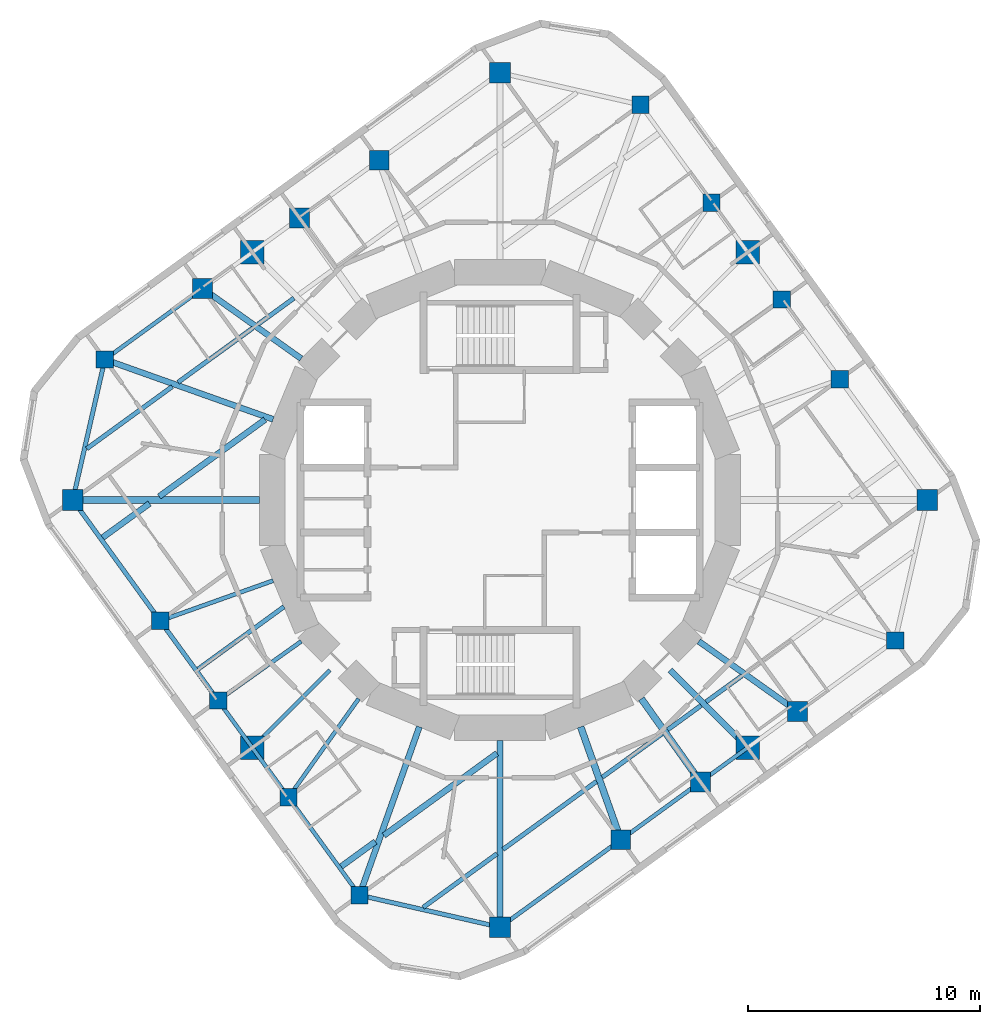
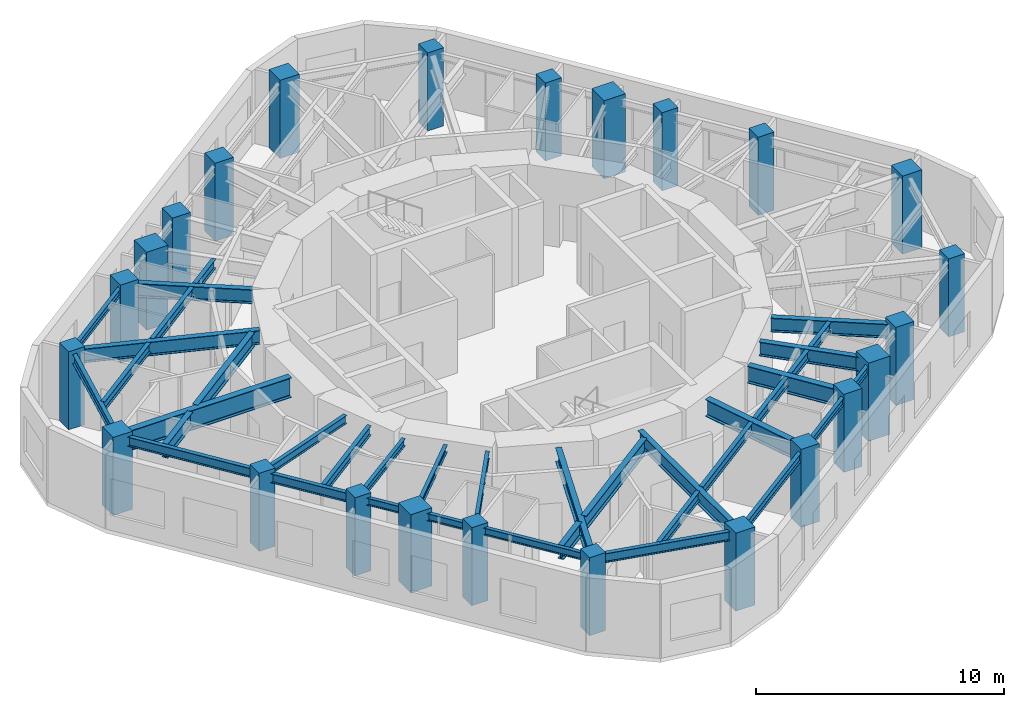
# One storey, part 1 of 9: 37 beams, 24 columns.
"""IFC4 building model written with IfcOpenShell, lengths in metres."""

from ifc_helpers import new_model, si_unit, direction, frame, origin, origin_2d, place, context, subcontext, project, spatial, rectangle, i_section, extrude, material, material_profile, profile_set, type_object, element, save


model = new_model("IFC4")

# Units and contexts
model_context = context("Model", 3, precision=1e-05, world=origin(), true_north=direction((0.0, 1.0)))
body_context = subcontext(model_context, "Body", "Model", "MODEL_VIEW")
ifc_project = project(units=[si_unit("LENGTHUNIT", "METRE"), si_unit("AREAUNIT", "SQUARE_METRE"), si_unit("VOLUMEUNIT", "CUBIC_METRE"), si_unit("PLANEANGLEUNIT", "RADIAN"), si_unit("MASSUNIT", "GRAM", prefix="KILO")], contexts=[model_context])

# Site, building, storey
site_placement = place(None, origin())
site = spatial("IfcSite", under=ifc_project, at=site_placement, CompositionType="ELEMENT")
building_placement = place(site_placement, origin())
building = spatial("IfcBuilding", under=site, at=building_placement, Name="Nakasero Lantern House", CompositionType="ELEMENT")
storey_placement = place(building_placement, frame((0.0, 0.0, 286.85009765625)))
storey = spatial("IfcBuildingStorey", under=building, at=storey_placement, Name="L70", CompositionType="ELEMENT", Elevation=286.85009765625)

# Columns
ifc_material_1 = material(Name="Concrete C40/50", Category="concrete")
ifc_material_profile_1 = material_profile(ifc_material_1, rectangle(XDim=1.0, YDim=1.0, at=origin_2d()), Name="RC 1000x1000")
ifc_profile_set_1 = profile_set([ifc_material_profile_1], Name="Concrete C40/50")
column_type_1 = type_object("IfcColumnType", Name="Mega column RC 1000x1000 C40/50", PredefinedType="COLUMN", material=ifc_profile_set_1)
for number, where, z_axis, x_axis, name in (
    (1, (10.667236328125, 10.667236328125, 0.0), (0.0, 0.0, 1.0), (1.0, 0.0, 0.0), "Column B7-C06 L70"),
    (2, (-10.667236328125, 10.667236328125, 0.0), (0.0, 0.0, 1.0), (1.0, 0.0, 0.0), "Column B7-C12 L70"),
    (3, (-10.667236328125, -10.667236328125, 0.0), (0.0, 0.0, 1.0), (1.0, 0.0, 0.0), "Column B7-C18 L70"),
    (4, (10.667236328125, -10.667236328125, 0.0), (0.0, 0.0, 1.0), (1.0, 0.0, 0.0), "Column B7-C24 L70"),
):
    element("IfcColumn", number, at=place(storey_placement, frame(where, z_axis=z_axis, x_axis=x_axis)), inside=storey, type_object=column_type_1, Name=name, PredefinedType="COLUMN", context=body_context, shape_type="SweptSolid", body=[
        extrude(rectangle(XDim=1.0, YDim=1.0, at=origin_2d()), origin(), (0.0, 0.0, 1.0), 3.849853515625),
    ])
ifc_material_2 = material(Name="Concrete C40/50", Category="concrete")
ifc_material_profile_2 = material_profile(ifc_material_2, rectangle(XDim=0.75, YDim=0.75, at=origin_2d()), Name="RC 750x750")
ifc_profile_set_2 = profile_set([ifc_material_profile_2], Name="Concrete C40/50")
column_type_2 = type_object("IfcColumnType", Name="Ring column RC 750x750 C40/50", PredefinedType="COLUMN", material=ifc_profile_set_2)
for number, where, z_axis, x_axis, name in (
    (5, (17.02001953125, -6.051513671875, 0.0), (0.0, 0.0, 1.0), (1.0, 0.0, 0.0), "Column B7-C02 L70"),
    (6, (14.636474609375, 5.2041015625, 0.0), (0.0, 0.0, 1.0), (1.0, 0.0, 0.0), "Column B7-C04 L70"),
    (7, (12.1435546875, 8.63525390625, 0.0), (0.0, 0.0, 1.0), (1.0, 0.0, 0.0), "Column B7-C05 L70"),
    (8, (9.10986328125, 12.810791015625, 0.0), (0.0, 0.0, 1.0), (1.0, 0.0, 0.0), "Column B7-C07 L70"),
    (9, (6.051513671875, 17.02001953125, 0.0), (0.0, 0.0, 1.0), (1.0, 0.0, 0.0), "Column B7-C08 L70"),
    (10, (-17.02001953125, 6.051513671875, 0.0), (0.0, 0.0, 1.0), (1.0, 0.0, 0.0), "Column B7-C14 L70"),
    (11, (-14.636474609375, -5.2041015625, 0.0), (0.0, 0.0, 1.0), (1.0, 0.0, 0.0), "Column B7-C16 L70"),
    (12, (-12.1435546875, -8.63525390625, 0.0), (0.0, 0.0, 1.0), (1.0, 0.0, 0.0), "Column B7-C17 L70"),
    (13, (-9.10986328125, -12.810791015625, 0.0), (0.0, 0.0, 1.0), (1.0, 0.0, 0.0), "Column B7-C19 L70"),
    (14, (-6.051513671875, -17.02001953125, 0.0), (0.0, 0.0, 1.0), (1.0, 0.0, 0.0), "Column B7-C20 L70"),
):
    element("IfcColumn", number, at=place(storey_placement, frame(where, z_axis=z_axis, x_axis=x_axis)), inside=storey, type_object=column_type_2, Name=name, PredefinedType="COLUMN", context=body_context, shape_type="SweptSolid", body=[
        extrude(rectangle(XDim=0.75, YDim=0.75, at=origin_2d()), origin(), (0.0, 0.0, 1.0), 3.849853515625),
    ])
ifc_material_3 = material(Name="Concrete C40/50", Category="concrete")
ifc_material_profile_3 = material_profile(ifc_material_3, rectangle(XDim=0.85009765625, YDim=0.85009765625, at=origin_2d()), Name="RC 850x850")
ifc_profile_set_3 = profile_set([ifc_material_profile_3], Name="Concrete C40/50")
column_type_3 = type_object("IfcColumnType", Name="Ring column RC 850x850 C40/50", PredefinedType="COLUMN", material=ifc_profile_set_3)
for number, where, z_axis, x_axis, name in (
    (15, (12.810791015625, -9.10986328125, 0.0), (0.0, 0.0, 1.0), (1.0, 0.0, 0.0), "Column B7-C01 L70"),
    (16, (-5.2041015625, 14.636474609375, 0.0), (0.0, 0.0, 1.0), (1.0, 0.0, 0.0), "Column B7-C10 L70"),
    (17, (-8.63525390625, 12.1435546875, 0.0), (0.0, 0.0, 1.0), (1.0, 0.0, 0.0), "Column B7-C11 L70"),
    (18, (-12.810791015625, 9.10986328125, 0.0), (0.0, 0.0, 1.0), (1.0, 0.0, 0.0), "Column B7-C13 L70"),
    (19, (5.2041015625, -14.636474609375, 0.0), (0.0, 0.0, 1.0), (1.0, 0.0, 0.0), "Column B7-C22 L70"),
    (20, (8.63525390625, -12.1435546875, 0.0), (0.0, 0.0, 1.0), (1.0, 0.0, 0.0), "Column B7-C23 L70"),
):
    element("IfcColumn", number, at=place(storey_placement, frame(where, z_axis=z_axis, x_axis=x_axis)), inside=storey, type_object=column_type_3, Name=name, PredefinedType="COLUMN", context=body_context, shape_type="SweptSolid", body=[
        extrude(rectangle(XDim=0.85009765625, YDim=0.85009765625, at=origin_2d()), origin(), (0.0, 0.0, 1.0), 3.849853515625),
    ])
ifc_material_4 = material(Name="Concrete C40/50", Category="concrete")
ifc_material_profile_4 = material_profile(ifc_material_4, rectangle(XDim=0.89990234375, YDim=0.89990234375, at=origin_2d()), Name="RC 900x900")
ifc_profile_set_4 = profile_set([ifc_material_profile_4], Name="Concrete C40/50")
column_type_4 = type_object("IfcColumnType", Name="Ring column RC 900x900 C40/50", PredefinedType="COLUMN", material=ifc_profile_set_4)
for number, where, z_axis, x_axis, name in (
    (21, (18.39990234375, 0.0, 0.0), (0.0, 0.0, 1.0), (1.0, 0.0, 0.0), "Column B7-C03 L70"),
    (22, (0.0, 18.39990234375, 0.0), (0.0, 0.0, 1.0), (1.0, 0.0, 0.0), "Column B7-C09 L70"),
    (23, (-18.39990234375, 0.0, 0.0), (0.0, 0.0, 1.0), (1.0, 0.0, 0.0), "Column B7-C15 L70"),
    (24, (0.0, -18.39990234375, 0.0), (0.0, 0.0, 1.0), (1.0, 0.0, 0.0), "Column B7-C21 L70"),
):
    element("IfcColumn", number, at=place(storey_placement, frame(where, z_axis=z_axis, x_axis=x_axis)), inside=storey, type_object=column_type_4, Name=name, PredefinedType="COLUMN", context=body_context, shape_type="SweptSolid", body=[
        extrude(rectangle(XDim=0.89990234375, YDim=0.89990234375, at=origin_2d()), origin(), (0.0, 0.0, 1.0), 3.849853515625),
    ])

# Beams
ifc_material_5 = material(Name="Steel S355", Category="steel")
ifc_material_profile_5 = material_profile(ifc_material_5, i_section(OverallWidth=0.19140625, OverallDepth=0.4599609375, WebThickness=0.010009765625, FlangeThickness=0.01611328125, FilletRadius=0.01025390625, at=origin_2d()), Name="UB 457x191x82")
ifc_profile_set_5 = profile_set([ifc_material_profile_5], Name="Steel S355")
beam_type_1 = type_object("IfcBeamType", Name="Infill beam UB 457x191x82", PredefinedType="JOIST", material=ifc_profile_set_5)
beam_1_placement = place(storey_placement, frame((-3.311279296875, -17.547607421875, 3.419921875), z_axis=(0.809028442836, 0.587769494515, 0.0), x_axis=(-0.587769494515, 0.809028442836, 0.0)))
element("IfcBeam", 25, at=beam_1_placement, inside=storey, type_object=beam_type_1, Name="Infill beam L71 03.1", PredefinedType="JOIST", context=body_context, shape_type="SweptSolid", body=[
    extrude(i_section(OverallWidth=0.19140625, OverallDepth=0.4599609375, WebThickness=0.010009765625, FlangeThickness=0.01611328125, FilletRadius=0.01025390625, at=origin_2d()), origin(), (0.0, 0.0, 1.0), 3.934814453125),
])
beam_2_placement = place(storey_placement, frame((0.1279296875, -15.048828125, 3.419921875), z_axis=(0.809018056479, 0.587783790428, 0.0), x_axis=(-0.587783790428, 0.809018056479, 0.0)))
element("IfcBeam", 26, at=beam_2_placement, inside=storey, type_object=beam_type_1, Name="Infill beam L71 03.2", PredefinedType="JOIST", context=body_context, shape_type="SweptSolid", body=[
    extrude(i_section(OverallWidth=0.19140625, OverallDepth=0.4599609375, WebThickness=0.010009765625, FlangeThickness=0.01611328125, FilletRadius=0.01025390625, at=origin_2d()), origin(), (0.0, 0.0, 1.0), 4.97802734375),
])
beam_3_placement = place(storey_placement, frame((4.40185546875, -11.943603515625, 3.419921875), z_axis=(0.809014147131, 0.587789171167, 0.0), x_axis=(-0.587789171167, 0.809014147131, 0.0)))
element("IfcBeam", 27, at=beam_3_placement, inside=storey, type_object=beam_type_1, Name="Infill beam L71 03.3", PredefinedType="JOIST", context=body_context, shape_type="SweptSolid", body=[
    extrude(i_section(OverallWidth=0.19140625, OverallDepth=0.4599609375, WebThickness=0.010009765625, FlangeThickness=0.01611328125, FilletRadius=0.01025390625, at=origin_2d()), origin(), (0.0, 0.0, 1.0), 3.188232421875),
])
beam_4_placement = place(storey_placement, frame((7.2177734375, -9.897705078125, 3.419921875), z_axis=(0.809060510352, 0.587725353025, 0.0), x_axis=(-0.587725353025, 0.809060510352, 0.0)))
element("IfcBeam", 28, at=beam_4_placement, inside=storey, type_object=beam_type_1, Name="Infill beam L71 03.4", PredefinedType="JOIST", context=body_context, shape_type="SweptSolid", body=[
    extrude(i_section(OverallWidth=0.19140625, OverallDepth=0.4599609375, WebThickness=0.010009765625, FlangeThickness=0.01611328125, FilletRadius=0.01025390625, at=origin_2d()), origin(), (0.0, 0.0, 1.0), 1.7890625),
])
beam_5_placement = place(storey_placement, frame((8.874755859375, -8.69384765625, 3.419921875), z_axis=(0.80900078054, 0.587807568074, 0.0), x_axis=(-0.587807568074, 0.80900078054, 0.0)))
element("IfcBeam", 29, at=beam_5_placement, inside=storey, type_object=beam_type_1, Name="Infill beam L71 03.5", PredefinedType="JOIST", context=body_context, shape_type="SweptSolid", body=[
    extrude(i_section(OverallWidth=0.19140625, OverallDepth=0.4599609375, WebThickness=0.010009765625, FlangeThickness=0.01611328125, FilletRadius=0.01025390625, at=origin_2d()), origin(), (0.0, 0.0, 1.0), 1.913818359375),
])
beam_6_placement = place(storey_placement, frame((-13.006103515625, -7.286376953125, 3.419921875), z_axis=(0.809017640959, 0.587784362344, 0.0), x_axis=(-0.587784362344, 0.809017640959, 0.0)))
element("IfcBeam", 30, at=beam_6_placement, inside=storey, type_object=beam_type_1, Name="Infill beam L71 07.1", PredefinedType="JOIST", context=body_context, shape_type="SweptSolid", body=[
    extrude(i_section(OverallWidth=0.19140625, OverallDepth=0.4599609375, WebThickness=0.010009765625, FlangeThickness=0.01611328125, FilletRadius=0.01025390625, at=origin_2d()), origin(), (0.0, 0.0, 1.0), 4.572998046875),
])
beam_7_placement = place(storey_placement, frame((-17.798583984375, 2.21044921875, 3.419921875), z_axis=(0.80901210161, 0.587791986546, 0.0), x_axis=(-0.587791986546, 0.80901210161, 0.0)))
element("IfcBeam", 31, at=beam_7_placement, inside=storey, type_object=beam_type_1, Name="Infill beam L71 10.1", PredefinedType="JOIST", context=body_context, shape_type="SweptSolid", body=[
    extrude(i_section(OverallWidth=0.19140625, OverallDepth=0.4599609375, WebThickness=0.010009765625, FlangeThickness=0.01611328125, FilletRadius=0.01025390625, at=origin_2d()), origin(), (0.0, 0.0, 1.0), 4.55029296875),
])
beam_8_placement = place(storey_placement, frame((-13.86865234375, 5.065673828125, 3.419921875), z_axis=(0.809000670398, 0.587807719663, 0.0), x_axis=(-0.587807719663, 0.809000670398, 0.0)))
element("IfcBeam", 32, at=beam_8_placement, inside=storey, type_object=beam_type_1, Name="Infill beam L71 10.2", PredefinedType="JOIST", context=body_context, shape_type="SweptSolid", body=[
    extrude(i_section(OverallWidth=0.19140625, OverallDepth=0.4599609375, WebThickness=0.010009765625, FlangeThickness=0.01611328125, FilletRadius=0.01025390625, at=origin_2d()), origin(), (0.0, 0.0, 1.0), 3.989013671875),
])
beam_9_placement = place(storey_placement, frame((-10.423095703125, 7.56884765625, 3.419921875), z_axis=(0.80900078054, 0.587807568074, 0.0), x_axis=(-0.587807568074, 0.80900078054, 0.0)))
element("IfcBeam", 33, at=beam_9_placement, inside=storey, type_object=beam_type_1, Name="Infill beam L71 10.3", PredefinedType="JOIST", context=body_context, shape_type="SweptSolid", body=[
    extrude(i_section(OverallWidth=0.19140625, OverallDepth=0.4599609375, WebThickness=0.010009765625, FlangeThickness=0.01611328125, FilletRadius=0.01025390625, at=origin_2d()), origin(), (0.0, 0.0, 1.0), 1.913818359375),
])
ifc_material_6 = material(Name="Steel S355", Category="steel")
ifc_material_profile_6 = material_profile(ifc_material_6, i_section(OverallWidth=0.255859375, OverallDepth=0.69287109375, WebThickness=0.014404296875, FlangeThickness=0.023681640625, FilletRadius=0.01513671875, at=origin_2d()), Name="UB 686x254x170")
ifc_profile_set_6 = profile_set([ifc_material_profile_6], Name="Steel S355")
beam_type_2 = type_object("IfcBeamType", Name="Infill beam UB 686x254x170", PredefinedType="JOIST", material=ifc_profile_set_6)
beam_10_placement = place(storey_placement, frame((-6.841796875, -15.786376953125, 3.303466796875), z_axis=(0.809025740158, 0.587773214566, 0.0), x_axis=(-0.587773214566, 0.809025740158, 0.0)))
element("IfcBeam", 34, at=beam_10_placement, inside=storey, type_object=beam_type_2, Name="Infill beam L71 04.1", PredefinedType="JOIST", context=body_context, shape_type="SweptSolid", body=[
    extrude(i_section(OverallWidth=0.255859375, OverallDepth=0.69287109375, WebThickness=0.014404296875, FlangeThickness=0.023681640625, FilletRadius=0.01513671875, at=origin_2d()), origin(), (0.0, 0.0, 1.0), 1.82177734375),
])
beam_11_placement = place(storey_placement, frame((-5.001953125, -14.44970703125, 3.303466796875), z_axis=(0.809011117524, 0.587793340998, 0.0), x_axis=(-0.587793340998, 0.809011117524, 0.0)))
element("IfcBeam", 35, at=beam_11_placement, inside=storey, type_object=beam_type_2, Name="Infill beam L71 04.2", PredefinedType="JOIST", context=body_context, shape_type="SweptSolid", body=[
    extrude(i_section(OverallWidth=0.255859375, OverallDepth=0.69287109375, WebThickness=0.014404296875, FlangeThickness=0.023681640625, FilletRadius=0.01513671875, at=origin_2d()), origin(), (0.0, 0.0, 1.0), 6.024658203125),
])
beam_12_placement = place(storey_placement, frame((-17.1123046875, -1.6171875, 3.303466796875), z_axis=(0.809015124384, 0.587787826106, 0.0), x_axis=(-0.587787826106, 0.809015124384, 0.0)))
element("IfcBeam", 36, at=beam_12_placement, inside=storey, type_object=beam_type_2, Name="Infill beam L71 09.1", PredefinedType="JOIST", context=body_context, shape_type="SweptSolid", body=[
    extrude(i_section(OverallWidth=0.255859375, OverallDepth=0.69287109375, WebThickness=0.014404296875, FlangeThickness=0.023681640625, FilletRadius=0.01513671875, at=origin_2d()), origin(), (0.0, 0.0, 1.0), 2.496337890625),
])
beam_13_placement = place(storey_placement, frame((-14.679931640625, 0.14990234375, 3.303466796875), z_axis=(0.809013172462, 0.587790512669, 0.0), x_axis=(-0.587790512669, 0.809013172462, 0.0)))
element("IfcBeam", 37, at=beam_13_placement, inside=storey, type_object=beam_type_2, Name="Infill beam L71 09.2", PredefinedType="JOIST", context=body_context, shape_type="SweptSolid", body=[
    extrude(i_section(OverallWidth=0.255859375, OverallDepth=0.69287109375, WebThickness=0.014404296875, FlangeThickness=0.023681640625, FilletRadius=0.01513671875, at=origin_2d()), origin(), (0.0, 0.0, 1.0), 5.63720703125),
])
ifc_material_7 = material(Name="Steel S355", Category="steel")
ifc_material_profile_7 = material_profile(ifc_material_7, i_section(OverallWidth=0.300048828125, OverallDepth=0.97998046875, WebThickness=0.0166015625, FlangeThickness=0.02587890625, FilletRadius=0.030029296875, at=origin_2d()), Name="UB 1016x305x249")
ifc_profile_set_7 = profile_set([ifc_material_profile_7], Name="Steel S355")
beam_type_3 = type_object("IfcBeamType", Name="Primary beam UB 1016x305x249, span 6 to 9 m", PredefinedType="BEAM", material=ifc_profile_set_7)
beam_14_placement = place(storey_placement, frame((-18.39990234375, 0.0, 3.159912109375), z_axis=(1.0, 0.0, 0.0), x_axis=(0.0, 1.0, 0.0)))
element("IfcBeam", 38, at=beam_14_placement, inside=storey, type_object=beam_type_3, Name="Primary beam L71 B7-C15", PredefinedType="BEAM", context=body_context, shape_type="SweptSolid", body=[
    extrude(i_section(OverallWidth=0.300048828125, OverallDepth=0.97998046875, WebThickness=0.0166015625, FlangeThickness=0.02587890625, FilletRadius=0.030029296875, at=origin_2d()), origin(), (0.0, 0.0, 1.0), 8.0419921875),
])
ifc_material_8 = material(Name="Steel S355", Category="steel")
ifc_material_profile_8 = material_profile(ifc_material_8, i_section(OverallWidth=0.17138671875, OverallDepth=0.35498046875, WebThickness=0.00732421875, FlangeThickness=0.011474609375, FilletRadius=0.01025390625, at=origin_2d()), Name="UB 356x171x51")
ifc_profile_set_8 = profile_set([ifc_material_profile_8], Name="Steel S355")
beam_type_4 = type_object("IfcBeamType", Name="Primary beam UB 356x171x51, span to 6 m", PredefinedType="BEAM", material=ifc_profile_set_8)
beam_15_placement = place(storey_placement, frame((-12.1435546875, -8.63525390625, 3.472412109375), z_axis=(0.814988544116, 0.579477068537, 0.0), x_axis=(-0.579477068537, 0.814988544116, 0.0)))
element("IfcBeam", 39, at=beam_15_placement, inside=storey, type_object=beam_type_4, Name="Primary beam L71 B7-C17", PredefinedType="BEAM", context=body_context, shape_type="SweptSolid", body=[
    extrude(i_section(OverallWidth=0.17138671875, OverallDepth=0.35498046875, WebThickness=0.00732421875, FlangeThickness=0.011474609375, FilletRadius=0.01025390625, at=origin_2d()), origin(), (0.0, 0.0, 1.0), 4.396484375),
])
beam_16_placement = place(storey_placement, frame((-10.667236328125, -10.667236328125, 3.472412109375), z_axis=(0.707106781187, 0.707106781187, 0.0), x_axis=(-0.707106781187, 0.707106781187, 0.0)))
element("IfcBeam", 40, at=beam_16_placement, inside=storey, type_object=beam_type_4, Name="Primary beam L71 B7-C18", PredefinedType="BEAM", context=body_context, shape_type="SweptSolid", body=[
    extrude(i_section(OverallWidth=0.17138671875, OverallDepth=0.35498046875, WebThickness=0.00732421875, FlangeThickness=0.011474609375, FilletRadius=0.01025390625, at=origin_2d()), origin(), (0.0, 0.0, 1.0), 4.727783203125),
])
beam_17_placement = place(storey_placement, frame((-9.10986328125, -12.810791015625, 3.472412109375), z_axis=(0.579500985986, 0.814971537688, 0.0), x_axis=(-0.814971537688, 0.579500985986, 0.0)))
element("IfcBeam", 41, at=beam_17_placement, inside=storey, type_object=beam_type_4, Name="Primary beam L71 B7-C19", PredefinedType="BEAM", context=body_context, shape_type="SweptSolid", body=[
    extrude(i_section(OverallWidth=0.17138671875, OverallDepth=0.35498046875, WebThickness=0.00732421875, FlangeThickness=0.011474609375, FilletRadius=0.01025390625, at=origin_2d()), origin(), (0.0, 0.0, 1.0), 5.215087890625),
])
ifc_material_9 = material(Name="Steel S355", Category="steel")
ifc_material_profile_9 = material_profile(ifc_material_9, i_section(OverallWidth=0.177978515625, OverallDepth=0.406494140625, WebThickness=0.0078125, FlangeThickness=0.0126953125, FilletRadius=0.01025390625, at=origin_2d()), Name="UB 406x178x60")
ifc_profile_set_9 = profile_set([ifc_material_profile_9], Name="Steel S355")
beam_type_5 = type_object("IfcBeamType", Name="Primary beam UB 406x178x60, span to 6 m", PredefinedType="BEAM", material=ifc_profile_set_9)
beam_18_placement = place(storey_placement, frame((-14.636474609375, -5.2041015625, 3.44677734375), z_axis=(0.942221324153, 0.3349910093, 0.0), x_axis=(-0.3349910093, 0.942221324153, 0.0)))
element("IfcBeam", 42, at=beam_18_placement, inside=storey, type_object=beam_type_5, Name="Primary beam L71 B7-C16", PredefinedType="BEAM", context=body_context, shape_type="SweptSolid", body=[
    extrude(i_section(OverallWidth=0.177978515625, OverallDepth=0.406494140625, WebThickness=0.0078125, FlangeThickness=0.0126953125, FilletRadius=0.01025390625, at=origin_2d()), origin(), (0.0, 0.0, 1.0), 5.162841796875),
])
ifc_material_10 = material(Name="Steel S355", Category="steel")
ifc_material_profile_10 = material_profile(ifc_material_10, i_section(OverallWidth=0.253662109375, OverallDepth=0.68359375, WebThickness=0.012451171875, FlangeThickness=0.01904296875, FilletRadius=0.01513671875, at=origin_2d()), Name="UB 686x254x140")
ifc_profile_set_10 = profile_set([ifc_material_profile_10], Name="Steel S355")
beam_type_6 = type_object("IfcBeamType", Name="Primary beam UB 686x254x140, span 6 to 9 m", PredefinedType="BEAM", material=ifc_profile_set_10)
beam_19_placement = place(storey_placement, frame((-17.02001953125, 6.051513671875, 3.30810546875), z_axis=(0.942222036561, -0.334989005521, 0.0), x_axis=(0.334989005521, 0.942222036561, 0.0)))
element("IfcBeam", 43, at=beam_19_placement, inside=storey, type_object=beam_type_6, Name="Primary beam L71 B7-C14", PredefinedType="BEAM", context=body_context, shape_type="SweptSolid", body=[
    extrude(i_section(OverallWidth=0.253662109375, OverallDepth=0.68359375, WebThickness=0.012451171875, FlangeThickness=0.01904296875, FilletRadius=0.01513671875, at=origin_2d()), origin(), (0.0, 0.0, 1.0), 7.6923828125),
])
ifc_material_11 = material(Name="Steel S355", Category="steel")
ifc_material_profile_11 = material_profile(ifc_material_11, i_section(OverallWidth=0.255859375, OverallDepth=0.69287109375, WebThickness=0.014404296875, FlangeThickness=0.023681640625, FilletRadius=0.01513671875, at=origin_2d()), Name="UB 686x254x170")
ifc_profile_set_11 = profile_set([ifc_material_profile_11], Name="Steel S355")
beam_type_7 = type_object("IfcBeamType", Name="Primary beam UB 686x254x170, span 6 to 9 m", PredefinedType="BEAM", material=ifc_profile_set_11)
beam_20_placement = place(storey_placement, frame((-6.051513671875, -17.02001953125, 3.303466796875), z_axis=(0.334989005521, 0.942222036561, 0.0), x_axis=(-0.942222036561, 0.334989005521, 0.0)))
element("IfcBeam", 44, at=beam_20_placement, inside=storey, type_object=beam_type_7, Name="Primary beam L71 B7-C20", PredefinedType="BEAM", context=body_context, shape_type="SweptSolid", body=[
    extrude(i_section(OverallWidth=0.255859375, OverallDepth=0.69287109375, WebThickness=0.014404296875, FlangeThickness=0.023681640625, FilletRadius=0.01513671875, at=origin_2d()), origin(), (0.0, 0.0, 1.0), 7.6923828125),
])
beam_21_placement = place(storey_placement, frame((0.0, -18.39990234375, 3.303466796875), z_axis=(0.0, 1.0, 0.0), x_axis=(-1.0, 0.0, 0.0)))
element("IfcBeam", 45, at=beam_21_placement, inside=storey, type_object=beam_type_7, Name="Primary beam L71 B7-C21", PredefinedType="BEAM", context=body_context, shape_type="SweptSolid", body=[
    extrude(i_section(OverallWidth=0.255859375, OverallDepth=0.69287109375, WebThickness=0.014404296875, FlangeThickness=0.023681640625, FilletRadius=0.01513671875, at=origin_2d()), origin(), (0.0, 0.0, 1.0), 8.0419921875),
])
ifc_material_12 = material(Name="Steel S355", Category="steel")
ifc_material_profile_12 = material_profile(ifc_material_12, i_section(OverallWidth=0.255859375, OverallDepth=0.69287109375, WebThickness=0.014404296875, FlangeThickness=0.023681640625, FilletRadius=0.01513671875, at=origin_2d()), Name="UB 686x254x170")
ifc_profile_set_12 = profile_set([ifc_material_profile_12], Name="Steel S355")
beam_type_8 = type_object("IfcBeamType", Name="Primary beam UB 686x254x170, span to 6 m", PredefinedType="BEAM", material=ifc_profile_set_12)
for number, where, z_axis, x_axis, name in (
    (46, (12.810791015625, -9.10986328125, 3.303466796875), (-0.814971537688, 0.579500985986, 0.0), (-0.579500985986, -0.814971537688, 0.0), "Primary beam L71 B7-C01"),
    (47, (-12.810791015625, 9.10986328125, 3.303466796875), (0.814971537688, -0.579500985986, 0.0), (0.579500985986, 0.814971537688, 0.0), "Primary beam L71 B7-C13"),
):
    element("IfcBeam", number, at=place(storey_placement, frame(where, z_axis=z_axis, x_axis=x_axis)), inside=storey, type_object=beam_type_8, Name=name, PredefinedType="BEAM", context=body_context, shape_type="SweptSolid", body=[
        extrude(i_section(OverallWidth=0.255859375, OverallDepth=0.69287109375, WebThickness=0.014404296875, FlangeThickness=0.023681640625, FilletRadius=0.01513671875, at=origin_2d()), origin(), (0.0, 0.0, 1.0), 5.215087890625),
    ])
beam_22_placement = place(storey_placement, frame((10.667236328125, -10.667236328125, 3.303466796875), z_axis=(-0.707106781187, 0.707106781187, 0.0), x_axis=(-0.707106781187, -0.707106781187, 0.0)))
element("IfcBeam", 48, at=beam_22_placement, inside=storey, type_object=beam_type_8, Name="Primary beam L71 B7-C24", PredefinedType="BEAM", context=body_context, shape_type="SweptSolid", body=[
    extrude(i_section(OverallWidth=0.255859375, OverallDepth=0.69287109375, WebThickness=0.014404296875, FlangeThickness=0.023681640625, FilletRadius=0.01513671875, at=origin_2d()), origin(), (0.0, 0.0, 1.0), 4.727783203125),
])
ifc_material_13 = material(Name="Steel S355", Category="steel")
ifc_material_profile_13 = material_profile(ifc_material_13, i_section(OverallWidth=0.29248046875, OverallDepth=0.8408203125, WebThickness=0.0146484375, FlangeThickness=0.02685546875, FilletRadius=0.017822265625, at=origin_2d()), Name="UB 838x292x194")
ifc_profile_set_13 = profile_set([ifc_material_profile_13], Name="Steel S355")
beam_type_9 = type_object("IfcBeamType", Name="Primary beam UB 838x292x194, span to 6 m", PredefinedType="BEAM", material=ifc_profile_set_13)
beam_23_placement = place(storey_placement, frame((5.2041015625, -14.636474609375, 3.2294921875), z_axis=(-0.3349910093, 0.942221324153, 0.0), x_axis=(-0.942221324153, -0.3349910093, 0.0)))
element("IfcBeam", 49, at=beam_23_placement, inside=storey, type_object=beam_type_9, Name="Primary beam L71 B7-C22", PredefinedType="BEAM", context=body_context, shape_type="SweptSolid", body=[
    extrude(i_section(OverallWidth=0.29248046875, OverallDepth=0.8408203125, WebThickness=0.0146484375, FlangeThickness=0.02685546875, FilletRadius=0.017822265625, at=origin_2d()), origin(), (0.0, 0.0, 1.0), 5.162841796875),
])
beam_24_placement = place(storey_placement, frame((8.63525390625, -12.1435546875, 3.2294921875), z_axis=(-0.579477068537, 0.814988544116, 0.0), x_axis=(-0.814988544116, -0.579477068537, 0.0)))
element("IfcBeam", 50, at=beam_24_placement, inside=storey, type_object=beam_type_9, Name="Primary beam L71 B7-C23", PredefinedType="BEAM", context=body_context, shape_type="SweptSolid", body=[
    extrude(i_section(OverallWidth=0.29248046875, OverallDepth=0.8408203125, WebThickness=0.0146484375, FlangeThickness=0.02685546875, FilletRadius=0.017822265625, at=origin_2d()), origin(), (0.0, 0.0, 1.0), 4.396484375),
])
ifc_material_14 = material(Name="Steel S355", Category="steel")
ifc_material_profile_14 = material_profile(ifc_material_14, i_section(OverallWidth=0.17138671875, OverallDepth=0.35498046875, WebThickness=0.00732421875, FlangeThickness=0.011474609375, FilletRadius=0.01025390625, at=origin_2d()), Name="UB 356x171x51")
ifc_profile_set_14 = profile_set([ifc_material_profile_14], Name="Steel S355")
beam_type_10 = type_object("IfcBeamType", Name="Ring beam UB 356x171x51", PredefinedType="BEAM", material=ifc_profile_set_14)
beam_25_placement = place(storey_placement, frame((-12.810791015625, 9.10986328125, 3.472412109375), z_axis=(-0.809001814948, -0.587806144414, 0.0), x_axis=(0.587806144414, -0.809001814948, 0.0)))
element("IfcBeam", 51, at=beam_25_placement, inside=storey, type_object=beam_type_10, Name="Ring beam L71 B7-C13", PredefinedType="BEAM", context=body_context, shape_type="SweptSolid", body=[
    extrude(i_section(OverallWidth=0.17138671875, OverallDepth=0.35498046875, WebThickness=0.00732421875, FlangeThickness=0.011474609375, FilletRadius=0.01025390625, at=origin_2d()), origin(), (0.0, 0.0, 1.0), 5.202880859375),
])
beam_26_placement = place(storey_placement, frame((-12.1435546875, -8.63525390625, 3.472412109375), z_axis=(0.58778439593, -0.809017616558, 0.0), x_axis=(0.809017616558, 0.58778439593, 0.0)))
element("IfcBeam", 52, at=beam_26_placement, inside=storey, type_object=beam_type_10, Name="Ring beam L71 B7-C17", PredefinedType="BEAM", context=body_context, shape_type="SweptSolid", body=[
    extrude(i_section(OverallWidth=0.17138671875, OverallDepth=0.35498046875, WebThickness=0.00732421875, FlangeThickness=0.011474609375, FilletRadius=0.01025390625, at=origin_2d()), origin(), (0.0, 0.0, 1.0), 2.51171875),
])
beam_27_placement = place(storey_placement, frame((-10.667236328125, -10.667236328125, 3.472412109375), z_axis=(0.587782635143, -0.809018895839, 0.0), x_axis=(0.809018895839, 0.587782635143, 0.0)))
element("IfcBeam", 53, at=beam_27_placement, inside=storey, type_object=beam_type_10, Name="Ring beam L71 B7-C18", PredefinedType="BEAM", context=body_context, shape_type="SweptSolid", body=[
    extrude(i_section(OverallWidth=0.17138671875, OverallDepth=0.35498046875, WebThickness=0.00732421875, FlangeThickness=0.011474609375, FilletRadius=0.01025390625, at=origin_2d()), origin(), (0.0, 0.0, 1.0), 2.649658203125),
])
beam_28_placement = place(storey_placement, frame((-9.10986328125, -12.810791015625, 3.472412109375), z_axis=(0.587806144414, -0.809001814948, 0.0), x_axis=(0.809001814948, 0.587806144414, 0.0)))
element("IfcBeam", 54, at=beam_28_placement, inside=storey, type_object=beam_type_10, Name="Ring beam L71 B7-C19", PredefinedType="BEAM", context=body_context, shape_type="SweptSolid", body=[
    extrude(i_section(OverallWidth=0.17138671875, OverallDepth=0.35498046875, WebThickness=0.00732421875, FlangeThickness=0.011474609375, FilletRadius=0.01025390625, at=origin_2d()), origin(), (0.0, 0.0, 1.0), 5.202880859375),
])
beam_29_placement = place(storey_placement, frame((5.2041015625, -14.636474609375, 3.472412109375), z_axis=(0.809012304944, 0.587791706687, 0.0), x_axis=(-0.587791706687, 0.809012304944, 0.0)))
element("IfcBeam", 55, at=beam_29_placement, inside=storey, type_object=beam_type_10, Name="Ring beam L71 B7-C22", PredefinedType="BEAM", context=body_context, shape_type="SweptSolid", body=[
    extrude(i_section(OverallWidth=0.17138671875, OverallDepth=0.35498046875, WebThickness=0.00732421875, FlangeThickness=0.011474609375, FilletRadius=0.01025390625, at=origin_2d()), origin(), (0.0, 0.0, 1.0), 4.2412109375),
])
beam_30_placement = place(storey_placement, frame((8.63525390625, -12.1435546875, 3.472412109375), z_axis=(0.809017616558, 0.58778439593, 0.0), x_axis=(-0.58778439593, 0.809017616558, 0.0)))
element("IfcBeam", 56, at=beam_30_placement, inside=storey, type_object=beam_type_10, Name="Ring beam L71 B7-C23", PredefinedType="BEAM", context=body_context, shape_type="SweptSolid", body=[
    extrude(i_section(OverallWidth=0.17138671875, OverallDepth=0.35498046875, WebThickness=0.00732421875, FlangeThickness=0.011474609375, FilletRadius=0.01025390625, at=origin_2d()), origin(), (0.0, 0.0, 1.0), 2.51171875),
])
ifc_material_15 = material(Name="Steel S355", Category="steel")
ifc_material_profile_15 = material_profile(ifc_material_15, i_section(OverallWidth=0.177978515625, OverallDepth=0.406494140625, WebThickness=0.0078125, FlangeThickness=0.0126953125, FilletRadius=0.01025390625, at=origin_2d()), Name="UB 406x178x60")
ifc_profile_set_15 = profile_set([ifc_material_profile_15], Name="Steel S355")
beam_type_11 = type_object("IfcBeamType", Name="Ring beam UB 406x178x60", PredefinedType="BEAM", material=ifc_profile_set_15)
beam_31_placement = place(storey_placement, frame((0.0, -18.39990234375, 3.44677734375), z_axis=(0.810316200404, 0.58599287996, 0.0), x_axis=(-0.58599287996, 0.810316200404, 0.0)))
element("IfcBeam", 57, at=beam_31_placement, inside=storey, type_object=beam_type_11, Name="Ring beam L71 B7-C21", PredefinedType="BEAM", context=body_context, shape_type="SweptSolid", body=[
    extrude(i_section(OverallWidth=0.177978515625, OverallDepth=0.406494140625, WebThickness=0.0078125, FlangeThickness=0.0126953125, FilletRadius=0.01025390625, at=origin_2d()), origin(), (0.0, 0.0, 1.0), 6.42236328125),
])
ifc_material_16 = material(Name="Steel S355", Category="steel")
ifc_material_profile_16 = material_profile(ifc_material_16, i_section(OverallWidth=0.18994140625, OverallDepth=0.453369140625, WebThickness=0.008544921875, FlangeThickness=0.0126953125, FilletRadius=0.01025390625, at=origin_2d()), Name="UB 457x191x67")
ifc_profile_set_16 = profile_set([ifc_material_profile_16], Name="Steel S355")
beam_type_12 = type_object("IfcBeamType", Name="Ring beam UB 457x191x67", PredefinedType="BEAM", material=ifc_profile_set_16)
beam_32_placement = place(storey_placement, frame((-17.02001953125, 6.051513671875, 3.423095703125), z_axis=(-0.222316387753, -0.974974575944, 0.0), x_axis=(0.974974575944, -0.222316387753, 0.0)))
element("IfcBeam", 58, at=beam_32_placement, inside=storey, type_object=beam_type_12, Name="Ring beam L71 B7-C14", PredefinedType="BEAM", context=body_context, shape_type="SweptSolid", body=[
    extrude(i_section(OverallWidth=0.18994140625, OverallDepth=0.453369140625, WebThickness=0.008544921875, FlangeThickness=0.0126953125, FilletRadius=0.01025390625, at=origin_2d()), origin(), (0.0, 0.0, 1.0), 6.206787109375),
])
beam_33_placement = place(storey_placement, frame((-14.636474609375, -5.2041015625, 3.423095703125), z_axis=(0.587791706687, -0.809012304944, 0.0), x_axis=(0.809012304944, 0.587791706687, 0.0)))
element("IfcBeam", 59, at=beam_33_placement, inside=storey, type_object=beam_type_12, Name="Ring beam L71 B7-C16", PredefinedType="BEAM", context=body_context, shape_type="SweptSolid", body=[
    extrude(i_section(OverallWidth=0.18994140625, OverallDepth=0.453369140625, WebThickness=0.008544921875, FlangeThickness=0.0126953125, FilletRadius=0.01025390625, at=origin_2d()), origin(), (0.0, 0.0, 1.0), 4.2412109375),
])
beam_34_placement = place(storey_placement, frame((-6.051513671875, -17.02001953125, 3.423095703125), z_axis=(0.974974575944, -0.222316387753, 0.0), x_axis=(0.222316387753, 0.974974575944, 0.0)))
element("IfcBeam", 60, at=beam_34_placement, inside=storey, type_object=beam_type_12, Name="Ring beam L71 B7-C20", PredefinedType="BEAM", context=body_context, shape_type="SweptSolid", body=[
    extrude(i_section(OverallWidth=0.18994140625, OverallDepth=0.453369140625, WebThickness=0.008544921875, FlangeThickness=0.0126953125, FilletRadius=0.01025390625, at=origin_2d()), origin(), (0.0, 0.0, 1.0), 6.206787109375),
])
ifc_material_17 = material(Name="Steel S355", Category="steel")
ifc_material_profile_17 = material_profile(ifc_material_17, i_section(OverallWidth=0.19140625, OverallDepth=0.4599609375, WebThickness=0.010009765625, FlangeThickness=0.01611328125, FilletRadius=0.01025390625, at=origin_2d()), Name="UB 457x191x82")
ifc_profile_set_17 = profile_set([ifc_material_profile_17], Name="Steel S355")
beam_type_13 = type_object("IfcBeamType", Name="Ring beam UB 457x191x82", PredefinedType="BEAM", material=ifc_profile_set_17)
beam_35_placement = place(storey_placement, frame((-18.39990234375, 0.0, 3.419921875), z_axis=(0.58599287996, -0.810316200404, 0.0), x_axis=(0.810316200404, 0.58599287996, 0.0)))
element("IfcBeam", 61, at=beam_35_placement, inside=storey, type_object=beam_type_13, Name="Ring beam L71 B7-C15", PredefinedType="BEAM", context=body_context, shape_type="SweptSolid", body=[
    extrude(i_section(OverallWidth=0.19140625, OverallDepth=0.4599609375, WebThickness=0.010009765625, FlangeThickness=0.01611328125, FilletRadius=0.01025390625, at=origin_2d()), origin(), (0.0, 0.0, 1.0), 6.42236328125),
])

save(model, "model.ifc")
